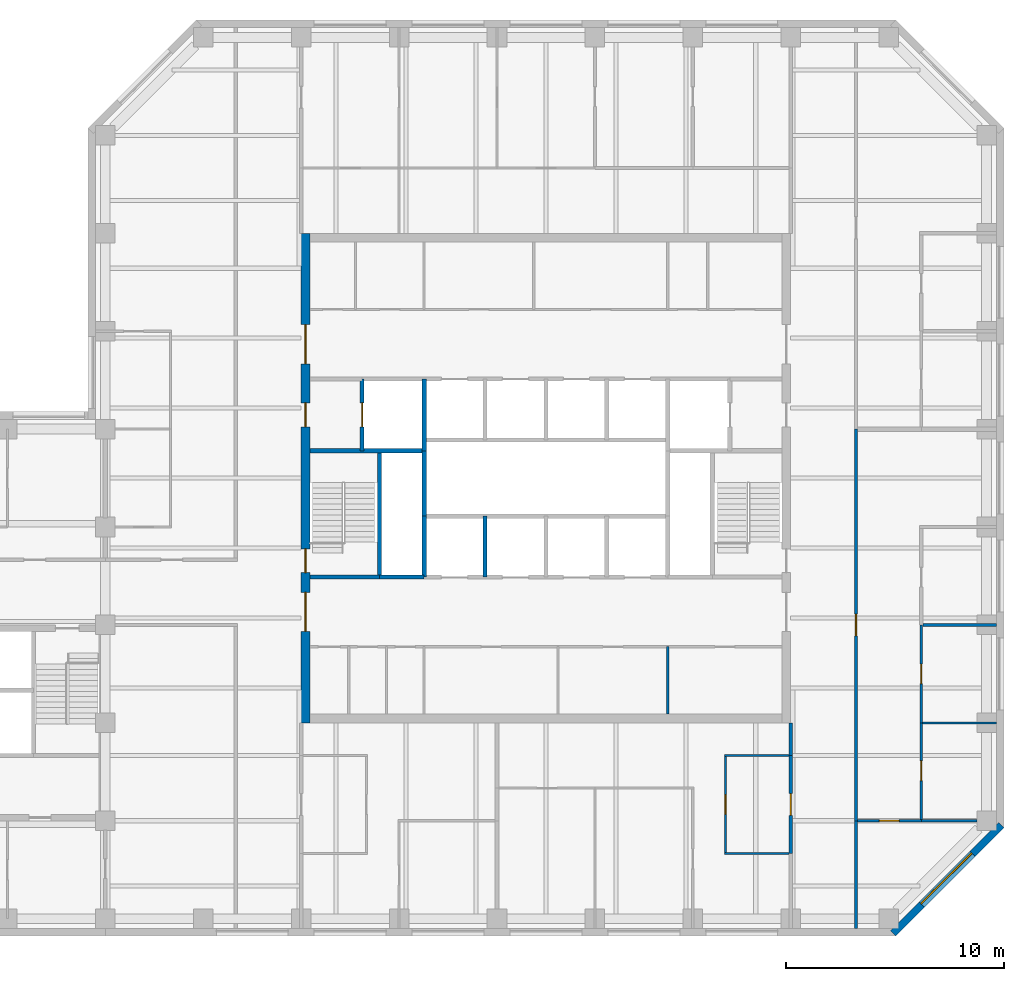
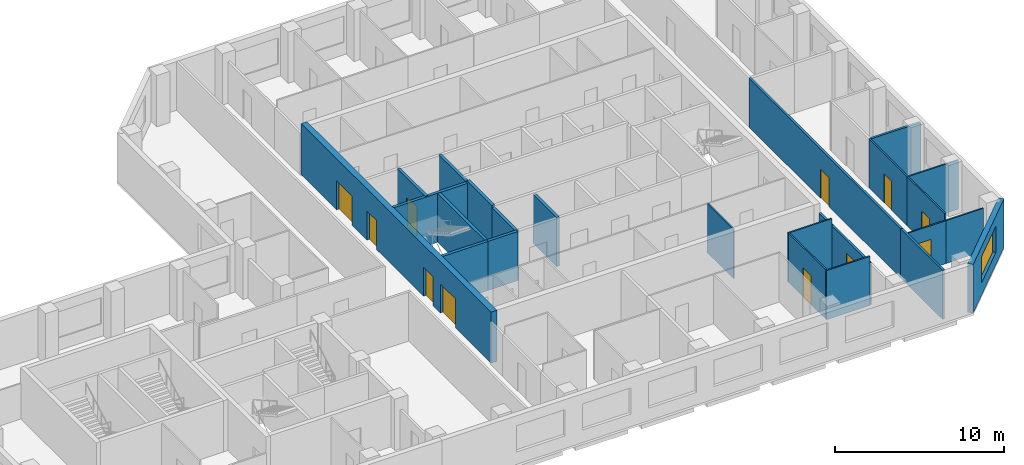
# One storey, part 5 of 9: 25 walls, 11 doors, 1 window, 12 openings.
"""IFC4 building model written with IfcOpenShell, lengths in metres."""

from ifc_helpers import new_model, si_unit, direction, frame, frame_2d, origin, place, context, subcontext, project, spatial, rectangle, extrude, material, layer, layer_set, constituent, constituent_set, type_object, element, fill, save


model = new_model("IFC4")

# Units and contexts
model_context = context("Model", 3, precision=1e-05, world=origin(), true_north=direction((0.0, 1.0)))
body_context = subcontext(model_context, "Body", "Model", "MODEL_VIEW")
ifc_project = project(units=[si_unit("LENGTHUNIT", "METRE"), si_unit("AREAUNIT", "SQUARE_METRE"), si_unit("VOLUMEUNIT", "CUBIC_METRE"), si_unit("PLANEANGLEUNIT", "RADIAN"), si_unit("MASSUNIT", "GRAM", prefix="KILO")], contexts=[model_context])

# Site, building, storey
site_placement = place(None, origin())
site = spatial("IfcSite", under=ifc_project, at=site_placement, CompositionType="ELEMENT")
building_placement = place(site_placement, origin())
building = spatial("IfcBuilding", under=site, at=building_placement, Name="Quoin Convention Tower", CompositionType="ELEMENT")
storey_placement = place(building_placement, frame((0.0, 0.0, 237.800048828125)))
storey = spatial("IfcBuildingStorey", under=building, at=storey_placement, Name="L62", CompositionType="ELEMENT", Elevation=237.800048828125)

# Wall
ifc_material_1 = material(Name="Plasterboard")
ifc_layer_1 = layer(ifc_material_1, 0.012451171875, Name="Finish")
ifc_material_2 = material(Name="Steel stud framing", Category="steel")
ifc_layer_2 = layer(ifc_material_2, 0.125, Name="Structure")
ifc_layer_3 = layer(ifc_material_1, 0.012451171875, Name="Finish")
ifc_layer_set_1 = layer_set([ifc_layer_1, ifc_layer_2, ifc_layer_3], Name="Steel stud framing")
wall_type_1 = type_object("IfcWallType", Name="Acoustic partition 150", PredefinedType="PARTITIONING", material=ifc_layer_set_1)
wall_1_placement = place(storey_placement, frame((73.574951171875, 54.0, 0.0), z_axis=(0.0, 0.0, 1.0), x_axis=(1.0, 0.0, 0.0)))
element("IfcWall", 1, at=wall_1_placement, inside=storey, type_object=wall_type_1, Name="pw-L62-017", PredefinedType="PARTITIONING", context=body_context, shape_type="SweptSolid", body=[
    extrude(rectangle(XDim=3.375, YDim=0.14990234375, at=frame_2d((1.6875, 0.0))), origin(), (0.0, 0.0, 1.0), 3.550048828125),
])

# Wall, opening, window
ifc_material_3 = material(Name="Brick masonry", Category="masonry")
ifc_layer_4 = layer(ifc_material_3, 0.35009765625)
ifc_layer_set_2 = layer_set([ifc_layer_4], Name="Brick masonry")
wall_type_2 = type_object("IfcWallType", Name="Brick facade wall", PredefinedType="STANDARD", material=ifc_layer_set_2)
wall_2_placement = place(storey_placement, frame((72.20751953125, 39.82373046875, 0.0), z_axis=(0.0, 0.0, 1.0), x_axis=(0.707106781187, 0.707106781187, 0.0)))
wall_2 = element("IfcWall", 2, at=wall_2_placement, inside=storey, type_object=wall_type_2, Name="fw-L62-72000_40500", PredefinedType="STANDARD", context=body_context, shape_type="SweptSolid", body=[
    extrude(rectangle(XDim=7.02685546875, YDim=0.35009765625, at=frame_2d((3.513427734375, 0.0))), origin(), (0.0, 0.0, 1.0), 3.52490234375),
])
opening_1_placement = place(wall_2_placement, frame((1.86328125, 0.0, 0.89990234375)))
opening_1 = element("IfcOpeningElement", 3, at=opening_1_placement, cuts=wall_2, Name="Opening W-02", PredefinedType="OPENING", context=body_context, shape_type="SweptSolid", body=[
    extrude(rectangle(XDim=3.300048828125, YDim=1.89990234375, at=frame_2d((1.64990234375, 0.949951171875))), frame((0.0, 0.18505859375, 0.0), z_axis=(0.0, -1.0, 0.0), x_axis=(1.0, 0.0, 0.0)), (0.0, 0.0, 1.0), 0.3701171875),
])
ifc_material_4 = material(Name="Aluminium", Category="aluminium")
ifc_constituent_1 = constituent(ifc_material_4, Name="Frame")
ifc_material_5 = material(Name="Insulated glass", Category="glass")
ifc_constituent_2 = constituent(ifc_material_5, Name="Glazing")
ifc_constituent_set = constituent_set(constituents=[ifc_constituent_1, ifc_constituent_2], Name="Aluminium")
window_type = type_object("IfcWindowType", Name="Office window", PartitioningType="DOUBLE_PANEL_VERTICAL", PredefinedType="WINDOW", material=ifc_constituent_set)
window_placement = place(opening_1_placement, origin())
window = element("IfcWindow", 4, at=window_placement, inside=storey, type_object=window_type, Name="win-L62-74692_42308", OverallHeight=1.89990234375, OverallWidth=3.300048828125, PartitioningType="SINGLE_PANEL", PredefinedType="WINDOW", context=body_context, shape_type="SweptSolid", body=[
    extrude(rectangle(XDim=3.300048828125, YDim=1.89990234375, at=frame_2d((1.64990234375, 0.949951171875))), frame((0.0, 0.0849609375, 0.0), z_axis=(0.0, -1.0, 0.0), x_axis=(1.0, 0.0, 0.0)), (0.0, 0.0, 1.0), 0.06005859375),
])
fill(opening_1, window)

# Walls
ifc_layer_5 = layer(ifc_material_1, 0.012451171875, Name="Finish")
ifc_layer_6 = layer(ifc_material_2, 0.074951171875, Name="Structure")
ifc_layer_7 = layer(ifc_material_1, 0.012451171875, Name="Finish")
ifc_layer_set_3 = layer_set([ifc_layer_5, ifc_layer_6, ifc_layer_7], Name="Steel stud framing")
wall_type_3 = type_object("IfcWallType", Name="Core partition wall", PredefinedType="PARTITIONING", material=ifc_layer_set_3)
wall_3_placement = place(storey_placement, frame((61.85009765625, 49.89990234375, 0.0), z_axis=(0.0, 0.0, 1.0), x_axis=(0.0, 1.0, 0.0)))
element("IfcWall", 5, at=wall_3_placement, inside=storey, type_object=wall_type_3, Name="cr-C1-L62-v16850_400", PredefinedType="PARTITIONING", context=body_context, shape_type="SweptSolid", body=[
    extrude(rectangle(XDim=3.10009765625, YDim=0.10009765625, at=frame_2d((1.550048828125, 0.0))), origin(), (0.0, 0.0, 1.0), 3.550048828125),
])
ifc_material_6 = material(Name="Concrete C50", Category="concrete")
ifc_layer_8 = layer(ifc_material_6, 0.199951171875)
ifc_layer_set_4 = layer_set([ifc_layer_8], Name="Concrete C50")
wall_type_4 = type_object("IfcWallType", Name="Core shaft wall", PredefinedType="SOLIDWALL", material=ifc_layer_set_4)
wall_4_placement = place(storey_placement, frame((48.60009765625, 56.199951171875, 0.0), z_axis=(0.0, 0.0, 1.0), x_axis=(1.0, 0.0, 0.0)))
element("IfcWall", 6, at=wall_4_placement, inside=storey, type_object=wall_type_4, Name="cr-C1-L62-h6700_3600", PredefinedType="SOLIDWALL", context=body_context, shape_type="SweptSolid", body=[
    extrude(rectangle(XDim=2.0498046875, YDim=0.199951171875, at=frame_2d((1.02490234375, 0.0))), origin(), (0.0, 0.0, 1.0), 3.550048828125),
])
wall_5_placement = place(storey_placement, frame((45.39990234375, 56.199951171875, 0.0), z_axis=(0.0, 0.0, 1.0), x_axis=(1.0, 0.0, 0.0)))
element("IfcWall", 7, at=wall_5_placement, inside=storey, type_object=wall_type_4, Name="cr-C1-L62-h6700_400", PredefinedType="SOLIDWALL", context=body_context, shape_type="SweptSolid", body=[
    extrude(rectangle(XDim=3.2001953125, YDim=0.199951171875, at=frame_2d((1.60009765625, 0.0))), origin(), (0.0, 0.0, 1.0), 3.550048828125),
])
wall_6_placement = place(storey_placement, frame((45.39990234375, 62.0, 0.0), z_axis=(0.0, 0.0, 1.0), x_axis=(1.0, 0.0, 0.0)))
element("IfcWall", 8, at=wall_6_placement, inside=storey, type_object=wall_type_4, Name="cr-C1-L62-h12500_400", PredefinedType="SOLIDWALL", context=body_context, shape_type="SweptSolid", body=[
    extrude(rectangle(XDim=5.25, YDim=0.199951171875, at=frame_2d((2.625, 0.0))), origin(), (0.0, 0.0, 1.0), 3.550048828125),
])

# Wall, opening, door
wall_7_placement = place(storey_placement, frame((47.800048828125, 62.0, 0.0), z_axis=(0.0, 0.0, 1.0), x_axis=(0.0, 1.0, 0.0)))
wall_7 = element("IfcWall", 9, at=wall_7_placement, inside=storey, type_object=wall_type_4, Name="cr-C1-L62-v2800_12500", PredefinedType="SOLIDWALL", context=body_context, shape_type="SweptSolid", body=[
    extrude(rectangle(XDim=3.300048828125, YDim=0.199951171875, at=frame_2d((1.64990234375, 0.0))), origin(), (0.0, 0.0, 1.0), 3.550048828125),
])
opening_2_placement = place(wall_7_placement, frame((1.10009765625, 0.0, 0.0)))
opening_2 = element("IfcOpeningElement", 10, at=opening_2_placement, cuts=wall_7, Name="Opening LDFL1", PredefinedType="OPENING", context=body_context, shape_type="SweptSolid", body=[
    extrude(rectangle(XDim=1.10009765625, YDim=2.10009765625, at=frame_2d((0.550048828125, 1.050048828125))), frame((0.0, 0.10986328125, 0.0), z_axis=(0.0, -1.0, 0.0), x_axis=(1.0, 0.0, 0.0)), (0.0, 0.0, 1.0), 0.219970703125),
])
ifc_material_7 = material(Name="Steel door leaf", Category="steel")
door_type_1 = type_object("IfcDoorType", Name="Lift landing door 1100 x 2100", OperationType="DOUBLE_DOOR_SLIDING", PredefinedType="DOOR", material=ifc_material_7)
door_1_placement = place(opening_2_placement, origin())
door_1 = element("IfcDoor", 11, at=door_1_placement, inside=storey, type_object=door_type_1, Name="cd-C1-L62-FLW-FFW-LDFL1", OperationType="DOUBLE_DOOR_SLIDING", OverallHeight=2.10009765625, OverallWidth=1.10009765625, PredefinedType="DOOR", context=body_context, shape_type="SweptSolid", body=[
    extrude(rectangle(XDim=1.10009765625, YDim=2.10009765625, at=frame_2d((0.550048828125, 1.050048828125))), frame((0.0, 0.02490234375, 0.0), z_axis=(0.0, -1.0, 0.0), x_axis=(1.0, 0.0, 0.0)), (0.0, 0.0, 1.0), 0.050048828125),
])
fill(opening_2, door_1)

# Walls
wall_8_placement = place(storey_placement, frame((48.60009765625, 56.199951171875, 0.0), z_axis=(0.0, 0.0, 1.0), x_axis=(0.0, 1.0, 0.0)))
element("IfcWall", 12, at=wall_8_placement, inside=storey, type_object=wall_type_4, Name="cr-C1-L62-v3600_6700", PredefinedType="SOLIDWALL", context=body_context, shape_type="SweptSolid", body=[
    extrude(rectangle(XDim=5.800048828125, YDim=0.199951171875, at=frame_2d((2.89990234375, 0.0))), origin(), (0.0, 0.0, 1.0), 3.550048828125),
])
wall_9_placement = place(storey_placement, frame((50.64990234375, 56.199951171875, 0.0), z_axis=(0.0, 0.0, 1.0), x_axis=(0.0, 1.0, 0.0)))
element("IfcWall", 13, at=wall_9_placement, inside=storey, type_object=wall_type_4, Name="cr-C1-L62-v5650_6700", PredefinedType="SOLIDWALL", context=body_context, shape_type="SweptSolid", body=[
    extrude(rectangle(XDim=2.800048828125, YDim=0.199951171875, at=frame_2d((1.39990234375, 0.0))), origin(), (0.0, 0.0, 1.0), 3.550048828125),
])
wall_10_placement = place(storey_placement, frame((50.64990234375, 62.0, 0.0), z_axis=(0.0, 0.0, 1.0), x_axis=(0.0, 1.0, 0.0)))
element("IfcWall", 14, at=wall_10_placement, inside=storey, type_object=wall_type_4, Name="cr-C1-L62-v5650_12500", PredefinedType="SOLIDWALL", context=body_context, shape_type="SweptSolid", body=[
    extrude(rectangle(XDim=3.300048828125, YDim=0.199951171875, at=frame_2d((1.64990234375, 0.0))), origin(), (0.0, 0.0, 1.0), 3.550048828125),
])
wall_11_placement = place(storey_placement, frame((53.449951171875, 56.199951171875, 0.0), z_axis=(0.0, 0.0, 1.0), x_axis=(0.0, 1.0, 0.0)))
element("IfcWall", 15, at=wall_11_placement, inside=storey, type_object=wall_type_4, Name="cr-C1-L62-v8450_6700", PredefinedType="SOLIDWALL", context=body_context, shape_type="SweptSolid", body=[
    extrude(rectangle(XDim=2.800048828125, YDim=0.199951171875, at=frame_2d((1.39990234375, 0.0))), origin(), (0.0, 0.0, 1.0), 3.550048828125),
])
ifc_layer_9 = layer(ifc_material_6, 0.199951171875)
ifc_layer_set_5 = layer_set([ifc_layer_9], Name="Concrete C50")
wall_type_5 = type_object("IfcWallType", Name="Core shaft wall to the floor level over", PredefinedType="SOLIDWALL", material=ifc_layer_set_5)
wall_12_placement = place(storey_placement, frame((50.64990234375, 59.0, 0.0), z_axis=(0.0, 0.0, 1.0), x_axis=(0.0, 1.0, 0.0)))
element("IfcWall", 16, at=wall_12_placement, inside=storey, type_object=wall_type_5, Name="cr-C1-L62-v5650_9500", PredefinedType="SOLIDWALL", context=body_context, shape_type="SweptSolid", body=[
    extrude(rectangle(XDim=3.0, YDim=0.199951171875, at=frame_2d((1.5, 0.0))), origin(), (0.0, 0.0, 1.0), 3.699951171875),
])
ifc_layer_10 = layer(ifc_material_1, 0.012451171875, Name="Finish")
ifc_layer_11 = layer(ifc_material_2, 0.125, Name="Structure")
ifc_layer_12 = layer(ifc_material_1, 0.012451171875, Name="Finish")
ifc_layer_set_6 = layer_set([ifc_layer_10, ifc_layer_11, ifc_layer_12], Name="Steel stud framing")
wall_type_6 = type_object("IfcWallType", Name="Corridor wall 150", PredefinedType="PARTITIONING", material=ifc_layer_set_6)
wall_13_placement = place(storey_placement, frame((70.5, 40.050048828125, 0.0), z_axis=(0.0, 0.0, 1.0), x_axis=(0.0, 1.0, 0.0)))
element("IfcWall", 17, at=wall_13_placement, inside=storey, type_object=wall_type_6, Name="pw-L62-042", PredefinedType="PARTITIONING", context=body_context, shape_type="SweptSolid", body=[
    extrude(rectangle(XDim=4.949951171875, YDim=0.14990234375, at=frame_2d((2.47509765625, 0.0))), origin(), (0.0, 0.0, 1.0), 3.550048828125),
])

# Wall, opening, door
wall_14_placement = place(storey_placement, frame((70.5, 45.0, 0.0), z_axis=(0.0, 0.0, 1.0), x_axis=(0.0, 1.0, 0.0)))
wall_14 = element("IfcWall", 18, at=wall_14_placement, inside=storey, type_object=wall_type_6, Name="pw-L62-050", PredefinedType="PARTITIONING", context=body_context, shape_type="SweptSolid", body=[
    extrude(rectangle(XDim=18.0, YDim=0.14990234375, at=frame_2d((9.0, 0.0))), origin(), (0.0, 0.0, 1.0), 3.550048828125),
])
opening_3_placement = place(wall_14_placement, frame((8.5, 0.0, 0.0)))
opening_3 = element("IfcOpeningElement", 19, at=opening_3_placement, cuts=wall_14, Name="Opening DOH11-16", PredefinedType="OPENING", context=body_context, shape_type="SweptSolid", body=[
    extrude(rectangle(XDim=1.0, YDim=2.10009765625, at=frame_2d((0.5, 1.050048828125))), frame((0.0, 0.0849609375, 0.0), z_axis=(0.0, -1.0, 0.0), x_axis=(1.0, 0.0, 0.0)), (0.0, 0.0, 1.0), 0.169921875),
])
door_type_2 = type_object("IfcDoorType", Name="Tenancy entrance door 1000 x 2100", OperationType="DOUBLE_DOOR_SINGLE_SWING", PredefinedType="DOOR", material=ifc_material_7)
door_2_placement = place(opening_3_placement, frame((1.0, 0.0, 0.0), z_axis=(0.0, 0.0, 1.0), x_axis=(-1.0, 0.0, 0.0)))
door_2 = element("IfcDoor", 20, at=door_2_placement, inside=storey, type_object=door_type_2, Name="dr-L62-24", OperationType="DOUBLE_DOOR_SINGLE_SWING", OverallHeight=2.10009765625, OverallWidth=1.0, PredefinedType="DOOR", context=body_context, shape_type="SweptSolid", body=[
    extrude(rectangle(XDim=1.0, YDim=2.10009765625, at=frame_2d((0.5, 1.050048828125))), frame((0.0, 0.02490234375, 0.0), z_axis=(0.0, -1.0, 0.0), x_axis=(1.0, 0.0, 0.0)), (0.0, 0.0, 1.0), 0.050048828125),
])
fill(opening_3, door_2)

ifc_layer_13 = layer(ifc_material_1, 0.012451171875, Name="Finish")
ifc_layer_14 = layer(ifc_material_2, 0.125, Name="Structure")
ifc_layer_15 = layer(ifc_material_1, 0.012451171875, Name="Finish")
ifc_layer_set_7 = layer_set([ifc_layer_13, ifc_layer_14, ifc_layer_15], Name="Steel stud framing")
wall_type_7 = type_object("IfcWallType", Name="Corridor wall 150 under beam 528", PredefinedType="PARTITIONING", material=ifc_layer_set_7)
wall_15_placement = place(storey_placement, frame((67.5, 43.5, 0.0), z_axis=(0.0, 0.0, 1.0), x_axis=(0.0, 1.0, 0.0)))
wall_15 = element("IfcWall", 21, at=wall_15_placement, inside=storey, type_object=wall_type_7, Name="pw-L62-045", PredefinedType="PARTITIONING", context=body_context, shape_type="SweptSolid", body=[
    extrude(rectangle(XDim=4.5, YDim=0.14990234375, at=frame_2d((2.25, 0.0))), origin(), (0.0, 0.0, 1.0), 3.02197265625),
])
opening_4_placement = place(wall_15_placement, frame((1.75, 0.0, 0.0)))
opening_4 = element("IfcOpeningElement", 22, at=opening_4_placement, cuts=wall_15, Name="Opening DOH11-13", PredefinedType="OPENING", context=body_context, shape_type="SweptSolid", body=[
    extrude(rectangle(XDim=1.0, YDim=2.10009765625, at=frame_2d((0.5, 1.050048828125))), frame((0.0, 0.0849609375, 0.0), z_axis=(0.0, -1.0, 0.0), x_axis=(1.0, 0.0, 0.0)), (0.0, 0.0, 1.0), 0.169921875),
])
door_3_placement = place(opening_4_placement, origin())
door_3 = element("IfcDoor", 23, at=door_3_placement, inside=storey, type_object=door_type_2, Name="dr-L62-13", OperationType="DOUBLE_DOOR_SINGLE_SWING", OverallHeight=2.10009765625, OverallWidth=1.0, PredefinedType="DOOR", context=body_context, shape_type="SweptSolid", body=[
    extrude(rectangle(XDim=1.0, YDim=2.10009765625, at=frame_2d((0.5, 1.050048828125))), frame((0.0, 0.02490234375, 0.0), z_axis=(0.0, -1.0, 0.0), x_axis=(1.0, 0.0, 0.0)), (0.0, 0.0, 1.0), 0.050048828125),
])
fill(opening_4, door_3)

# Wall
wall_16_placement = place(storey_placement, frame((67.5, 48.0, 0.0), z_axis=(0.0, 0.0, 1.0), x_axis=(0.0, 1.0, 0.0)))
element("IfcWall", 24, at=wall_16_placement, inside=storey, type_object=wall_type_7, Name="pw-L62-057", PredefinedType="PARTITIONING", context=body_context, shape_type="SweptSolid", body=[
    extrude(rectangle(XDim=1.5, YDim=0.14990234375, at=frame_2d((0.75, 0.0))), origin(), (0.0, 0.0, 1.0), 3.02197265625),
])

# Wall, openings, doors
ifc_layer_16 = layer(ifc_material_6, 0.39990234375)
ifc_layer_set_8 = layer_set([ifc_layer_16], Name="Concrete C50")
wall_type_8 = type_object("IfcWallType", Name="RC CORE WALL 400 C50", PredefinedType="SHEAR", material=ifc_layer_set_8)
wall_17_placement = place(storey_placement, frame((45.199951171875, 49.5, 0.0), z_axis=(0.0, 0.0, 1.0), x_axis=(0.0, 1.0, 0.0)))
wall_17 = element("IfcWall", 25, at=wall_17_placement, inside=storey, type_object=wall_type_8, Name="cwl-C1-L62-W", PredefinedType="SHEAR", context=body_context, shape_type="SweptSolid", body=[
    extrude(rectangle(XDim=22.5, YDim=0.39990234375, at=frame_2d((11.25, 0.0))), origin(), (0.0, 0.0, 1.0), 3.699951171875),
])
opening_5_placement = place(wall_17_placement, frame((4.199951171875, 0.0, 0.0)))
opening_5 = element("IfcOpeningElement", 26, at=opening_5_placement, cuts=wall_17, Name="Opening DCV3-40", PredefinedType="OPENING", context=body_context, shape_type="SweptSolid", body=[
    extrude(rectangle(XDim=1.800048828125, YDim=2.10009765625, at=frame_2d((0.89990234375, 1.050048828125))), frame((0.0, 0.2099609375, 0.0), z_axis=(0.0, -1.0, 0.0), x_axis=(1.0, 0.0, 0.0)), (0.0, 0.0, 1.0), 0.419921875),
])
opening_6_placement = place(wall_17_placement, frame((6.89990234375, 0.0, 0.0)))
opening_6 = element("IfcOpeningElement", 27, at=opening_6_placement, cuts=wall_17, Name="Opening SD1", PredefinedType="OPENING", context=body_context, shape_type="SweptSolid", body=[
    extrude(rectangle(XDim=1.10009765625, YDim=2.10009765625, at=frame_2d((0.550048828125, 1.050048828125))), frame((0.0, 0.2099609375, 0.0), z_axis=(0.0, -1.0, 0.0), x_axis=(1.0, 0.0, 0.0)), (0.0, 0.0, 1.0), 0.419921875),
])
opening_7_placement = place(wall_17_placement, frame((13.60009765625, 0.0, 0.0)))
opening_7 = element("IfcOpeningElement", 28, at=opening_7_placement, cuts=wall_17, Name="Opening DCV3-39", PredefinedType="OPENING", context=body_context, shape_type="SweptSolid", body=[
    extrude(rectangle(XDim=1.10009765625, YDim=2.10009765625, at=frame_2d((0.550048828125, 1.050048828125))), frame((0.0, 0.2099609375, 0.0), z_axis=(0.0, -1.0, 0.0), x_axis=(1.0, 0.0, 0.0)), (0.0, 0.0, 1.0), 0.419921875),
])
opening_8_placement = place(wall_17_placement, frame((16.5, 0.0, 0.0)))
opening_8 = element("IfcOpeningElement", 29, at=opening_8_placement, cuts=wall_17, Name="Opening DCV3-40", PredefinedType="OPENING", context=body_context, shape_type="SweptSolid", body=[
    extrude(rectangle(XDim=1.800048828125, YDim=2.10009765625, at=frame_2d((0.89990234375, 1.050048828125))), frame((0.0, 0.2099609375, 0.0), z_axis=(0.0, -1.0, 0.0), x_axis=(1.0, 0.0, 0.0)), (0.0, 0.0, 1.0), 0.419921875),
])
door_type_3 = type_object("IfcDoorType", Name="Fire-fighting lobby door 1100 x 2100", OperationType="SINGLE_SWING_LEFT", PredefinedType="DOOR", material=ifc_material_7)
door_4_placement = place(opening_7_placement, frame((1.10009765625, 0.0, 0.0), z_axis=(0.0, 0.0, 1.0), x_axis=(-1.0, 0.0, 0.0)))
door_4 = element("IfcDoor", 30, at=door_4_placement, inside=storey, type_object=door_type_3, Name="cd-C1-L62-FFW-W", OperationType="SINGLE_SWING_LEFT", OverallHeight=2.10009765625, OverallWidth=1.10009765625, PredefinedType="DOOR", context=body_context, shape_type="SweptSolid", body=[
    extrude(rectangle(XDim=1.10009765625, YDim=2.10009765625, at=frame_2d((0.550048828125, 1.050048828125))), frame((0.0, 0.02490234375, 0.0), z_axis=(0.0, -1.0, 0.0), x_axis=(1.0, 0.0, 0.0)), (0.0, 0.0, 1.0), 0.050048828125),
])
fill(opening_7, door_4)
door_type_4 = type_object("IfcDoorType", Name="Lift lobby door 1800 x 2100", OperationType="SINGLE_SWING_LEFT", PredefinedType="DOOR", material=ifc_material_7)
door_5_placement = place(opening_5_placement, frame((1.800048828125, 0.0, 0.0), z_axis=(0.0, 0.0, 1.0), x_axis=(-1.0, 0.0, 0.0)))
door_5 = element("IfcDoor", 31, at=door_5_placement, inside=storey, type_object=door_type_4, Name="cd-C1-L62-lobA-W", OperationType="SINGLE_SWING_LEFT", OverallHeight=2.10009765625, OverallWidth=1.800048828125, PredefinedType="DOOR", context=body_context, shape_type="SweptSolid", body=[
    extrude(rectangle(XDim=1.800048828125, YDim=2.10009765625, at=frame_2d((0.89990234375, 1.050048828125))), frame((0.0, 0.02490234375, 0.0), z_axis=(0.0, -1.0, 0.0), x_axis=(1.0, 0.0, 0.0)), (0.0, 0.0, 1.0), 0.050048828125),
])
fill(opening_5, door_5)
door_6_placement = place(opening_8_placement, frame((1.800048828125, 0.0, 0.0), z_axis=(0.0, 0.0, 1.0), x_axis=(-1.0, 0.0, 0.0)))
door_6 = element("IfcDoor", 32, at=door_6_placement, inside=storey, type_object=door_type_4, Name="cd-C1-L62-lobB-W", OperationType="SINGLE_SWING_LEFT", OverallHeight=2.10009765625, OverallWidth=1.800048828125, PredefinedType="DOOR", context=body_context, shape_type="SweptSolid", body=[
    extrude(rectangle(XDim=1.800048828125, YDim=2.10009765625, at=frame_2d((0.89990234375, 1.050048828125))), frame((0.0, 0.02490234375, 0.0), z_axis=(0.0, -1.0, 0.0), x_axis=(1.0, 0.0, 0.0)), (0.0, 0.0, 1.0), 0.050048828125),
])
fill(opening_8, door_6)
door_type_5 = type_object("IfcDoorType", Name="Stair door 1100 x 2100", OperationType="SINGLE_SWING_RIGHT", PredefinedType="DOOR", material=ifc_material_7)
door_7_placement = place(opening_6_placement, frame((1.10009765625, 0.0, 0.0), z_axis=(0.0, 0.0, 1.0), x_axis=(-1.0, 0.0, 0.0)))
door_7 = element("IfcDoor", 33, at=door_7_placement, inside=storey, type_object=door_type_5, Name="cd-C1-L62-STW-W", OperationType="SINGLE_SWING_RIGHT", OverallHeight=2.10009765625, OverallWidth=1.10009765625, PredefinedType="DOOR", context=body_context, shape_type="SweptSolid", body=[
    extrude(rectangle(XDim=1.10009765625, YDim=2.10009765625, at=frame_2d((0.550048828125, 1.050048828125))), frame((0.0, 0.02490234375, 0.0), z_axis=(0.0, -1.0, 0.0), x_axis=(1.0, 0.0, 0.0)), (0.0, 0.0, 1.0), 0.050048828125),
])
fill(opening_6, door_7)

# Walls
ifc_layer_17 = layer(ifc_material_1, 0.012451171875, Name="Finish")
ifc_layer_18 = layer(ifc_material_2, 0.074951171875, Name="Structure")
ifc_layer_19 = layer(ifc_material_1, 0.012451171875, Name="Finish")
ifc_layer_set_9 = layer_set([ifc_layer_17, ifc_layer_18, ifc_layer_19], Name="Steel stud framing")
wall_type_9 = type_object("IfcWallType", Name="Stud partition 100", PredefinedType="PARTITIONING", material=ifc_layer_set_9)
for number, where, z_axis, x_axis, name in (
    (34, (64.449951171875, 43.5, 0.0), (0.0, 0.0, 1.0), (1.0, 0.0, 0.0), "pw-L62-002"),
    (35, (64.449951171875, 48.0, 0.0), (0.0, 0.0, 1.0), (1.0, 0.0, 0.0), "pw-L62-012"),
):
    element("IfcWall", number, at=place(storey_placement, frame(where, z_axis=z_axis, x_axis=x_axis)), inside=storey, type_object=wall_type_9, Name=name, PredefinedType="PARTITIONING", context=body_context, shape_type="SweptSolid", body=[
        extrude(rectangle(XDim=2.97509765625, YDim=0.10009765625, at=frame_2d((1.487548828125, 0.0))), origin(), (0.0, 0.0, 1.0), 3.550048828125),
    ])
wall_18_placement = place(storey_placement, frame((73.550048828125, 49.5, 0.0), z_axis=(0.0, 0.0, 1.0), x_axis=(1.0, 0.0, 0.0)))
element("IfcWall", 36, at=wall_18_placement, inside=storey, type_object=wall_type_9, Name="pw-L62-014", PredefinedType="PARTITIONING", context=body_context, shape_type="SweptSolid", body=[
    extrude(rectangle(XDim=3.39990234375, YDim=0.10009765625, at=frame_2d((1.699951171875, 0.0))), origin(), (0.0, 0.0, 1.0), 3.550048828125),
])

# Wall, opening, door
wall_19_placement = place(storey_placement, frame((64.5, 43.550048828125, 0.0), z_axis=(0.0, 0.0, 1.0), x_axis=(0.0, 1.0, 0.0)))
wall_19 = element("IfcWall", 37, at=wall_19_placement, inside=storey, type_object=wall_type_9, Name="pw-L62-047", PredefinedType="PARTITIONING", context=body_context, shape_type="SweptSolid", body=[
    extrude(rectangle(XDim=4.39990234375, YDim=0.10009765625, at=frame_2d((2.199951171875, 0.0))), origin(), (0.0, 0.0, 1.0), 3.550048828125),
])
opening_9_placement = place(wall_19_placement, frame((1.75, 0.0, 0.0)))
opening_9 = element("IfcOpeningElement", 38, at=opening_9_placement, cuts=wall_19, Name="Opening DOH11-15", PredefinedType="OPENING", context=body_context, shape_type="SweptSolid", body=[
    extrude(rectangle(XDim=0.89990234375, YDim=2.10009765625, at=frame_2d((0.449951171875, 1.050048828125))), frame((0.0, 0.06005859375, 0.0), z_axis=(0.0, -1.0, 0.0), x_axis=(1.0, 0.0, 0.0)), (0.0, 0.0, 1.0), 0.1201171875),
])
door_type_6 = type_object("IfcDoorType", Name="Office door 900 x 2100", OperationType="SINGLE_SWING_RIGHT", PredefinedType="DOOR", material=ifc_material_7)
door_8_placement = place(opening_9_placement, origin())
door_8 = element("IfcDoor", 39, at=door_8_placement, inside=storey, type_object=door_type_6, Name="dr-L62-14", OperationType="SINGLE_SWING_RIGHT", OverallHeight=2.10009765625, OverallWidth=0.89990234375, PredefinedType="DOOR", context=body_context, shape_type="SweptSolid", body=[
    extrude(rectangle(XDim=0.89990234375, YDim=2.10009765625, at=frame_2d((0.449951171875, 1.050048828125))), frame((0.0, 0.02490234375, 0.0), z_axis=(0.0, -1.0, 0.0), x_axis=(1.0, 0.0, 0.0)), (0.0, 0.0, 1.0), 0.050048828125),
])
fill(opening_9, door_8)

wall_20_placement = place(storey_placement, frame((73.5, 45.050048828125, 0.0), z_axis=(0.0, 0.0, 1.0), x_axis=(0.0, 1.0, 0.0)))
wall_20 = element("IfcWall", 40, at=wall_20_placement, inside=storey, type_object=wall_type_9, Name="pw-L62-051", PredefinedType="PARTITIONING", context=body_context, shape_type="SweptSolid", body=[
    extrude(rectangle(XDim=4.449951171875, YDim=0.10009765625, at=frame_2d((2.22509765625, 0.0))), origin(), (0.0, 0.0, 1.0), 3.550048828125),
])
opening_10_placement = place(wall_20_placement, frame((1.800048828125, 0.0, 0.0)))
opening_10 = element("IfcOpeningElement", 41, at=opening_10_placement, cuts=wall_20, Name="Opening DOH11-17", PredefinedType="OPENING", context=body_context, shape_type="SweptSolid", body=[
    extrude(rectangle(XDim=0.89990234375, YDim=2.10009765625, at=frame_2d((0.449951171875, 1.050048828125))), frame((0.0, 0.06005859375, 0.0), z_axis=(0.0, -1.0, 0.0), x_axis=(1.0, 0.0, 0.0)), (0.0, 0.0, 1.0), 0.1201171875),
])
door_9_placement = place(opening_10_placement, origin())
door_9 = element("IfcDoor", 42, at=door_9_placement, inside=storey, type_object=door_type_6, Name="dr-L62-26", OperationType="SINGLE_SWING_RIGHT", OverallHeight=2.10009765625, OverallWidth=0.89990234375, PredefinedType="DOOR", context=body_context, shape_type="SweptSolid", body=[
    extrude(rectangle(XDim=0.89990234375, YDim=2.10009765625, at=frame_2d((0.449951171875, 1.050048828125))), frame((0.0, 0.02490234375, 0.0), z_axis=(0.0, -1.0, 0.0), x_axis=(1.0, 0.0, 0.0)), (0.0, 0.0, 1.0), 0.050048828125),
])
fill(opening_10, door_9)

wall_21_placement = place(storey_placement, frame((73.5, 49.5, 0.0), z_axis=(0.0, 0.0, 1.0), x_axis=(0.0, 1.0, 0.0)))
wall_21 = element("IfcWall", 43, at=wall_21_placement, inside=storey, type_object=wall_type_9, Name="pw-L62-058", PredefinedType="PARTITIONING", context=body_context, shape_type="SweptSolid", body=[
    extrude(rectangle(XDim=4.5, YDim=0.10009765625, at=frame_2d((2.25, 0.0))), origin(), (0.0, 0.0, 1.0), 3.550048828125),
])
opening_11_placement = place(wall_21_placement, frame((1.800048828125, 0.0, 0.0)))
opening_11 = element("IfcOpeningElement", 44, at=opening_11_placement, cuts=wall_21, Name="Opening DOH11-18", PredefinedType="OPENING", context=body_context, shape_type="SweptSolid", body=[
    extrude(rectangle(XDim=0.89990234375, YDim=2.10009765625, at=frame_2d((0.449951171875, 1.050048828125))), frame((0.0, 0.06005859375, 0.0), z_axis=(0.0, -1.0, 0.0), x_axis=(1.0, 0.0, 0.0)), (0.0, 0.0, 1.0), 0.1201171875),
])
door_10_placement = place(opening_11_placement, origin())
door_10 = element("IfcDoor", 45, at=door_10_placement, inside=storey, type_object=door_type_6, Name="dr-L62-27", OperationType="SINGLE_SWING_RIGHT", OverallHeight=2.10009765625, OverallWidth=0.89990234375, PredefinedType="DOOR", context=body_context, shape_type="SweptSolid", body=[
    extrude(rectangle(XDim=0.89990234375, YDim=2.10009765625, at=frame_2d((0.449951171875, 1.050048828125))), frame((0.0, 0.02490234375, 0.0), z_axis=(0.0, -1.0, 0.0), x_axis=(1.0, 0.0, 0.0)), (0.0, 0.0, 1.0), 0.050048828125),
])
fill(opening_11, door_10)

ifc_layer_20 = layer(ifc_material_1, 0.012451171875, Name="Finish")
ifc_layer_21 = layer(ifc_material_2, 0.074951171875, Name="Structure")
ifc_layer_22 = layer(ifc_material_1, 0.012451171875, Name="Finish")
ifc_layer_set_10 = layer_set([ifc_layer_20, ifc_layer_21, ifc_layer_22], Name="Steel stud framing")
wall_type_10 = type_object("IfcWallType", Name="Stud partition 100 under beam 454", PredefinedType="PARTITIONING", material=ifc_layer_set_10)
wall_22_placement = place(storey_placement, frame((70.574951171875, 45.0, 0.0), z_axis=(0.0, 0.0, 1.0), x_axis=(1.0, 0.0, 0.0)))
wall_22 = element("IfcWall", 46, at=wall_22_placement, inside=storey, type_object=wall_type_10, Name="pw-L62-006", PredefinedType="PARTITIONING", context=body_context, shape_type="SweptSolid", body=[
    extrude(rectangle(XDim=2.925048828125, YDim=0.10009765625, at=frame_2d((1.46240234375, 0.0))), origin(), (0.0, 0.0, 1.0), 3.095947265625),
])
opening_12_placement = place(wall_22_placement, frame((1.0, 0.0, 0.0)))
opening_12 = element("IfcOpeningElement", 47, at=opening_12_placement, cuts=wall_22, Name="Opening DOH11-01", PredefinedType="OPENING", context=body_context, shape_type="SweptSolid", body=[
    extrude(rectangle(XDim=0.89990234375, YDim=2.10009765625, at=frame_2d((0.449951171875, 1.050048828125))), frame((0.0, 0.06005859375, 0.0), z_axis=(0.0, -1.0, 0.0), x_axis=(1.0, 0.0, 0.0)), (0.0, 0.0, 1.0), 0.1201171875),
])
door_11_placement = place(opening_12_placement, origin())
door_11 = element("IfcDoor", 48, at=door_11_placement, inside=storey, type_object=door_type_6, Name="dr-L62-25", OperationType="SINGLE_SWING_RIGHT", OverallHeight=2.10009765625, OverallWidth=0.89990234375, PredefinedType="DOOR", context=body_context, shape_type="SweptSolid", body=[
    extrude(rectangle(XDim=0.89990234375, YDim=2.10009765625, at=frame_2d((0.449951171875, 1.050048828125))), frame((0.0, 0.02490234375, 0.0), z_axis=(0.0, -1.0, 0.0), x_axis=(1.0, 0.0, 0.0)), (0.0, 0.0, 1.0), 0.050048828125),
])
fill(opening_12, door_11)

# Wall
wall_23_placement = place(storey_placement, frame((73.5, 45.0, 0.0), z_axis=(0.0, 0.0, 1.0), x_axis=(1.0, 0.0, 0.0)))
element("IfcWall", 49, at=wall_23_placement, inside=storey, type_object=wall_type_10, Name="pw-L62-007", PredefinedType="PARTITIONING", context=body_context, shape_type="SweptSolid", body=[
    extrude(rectangle(XDim=2.550048828125, YDim=0.10009765625, at=frame_2d((1.27490234375, 0.0))), origin(), (0.0, 0.0, 1.0), 3.095947265625),
])

save(model, "model.ifc")
